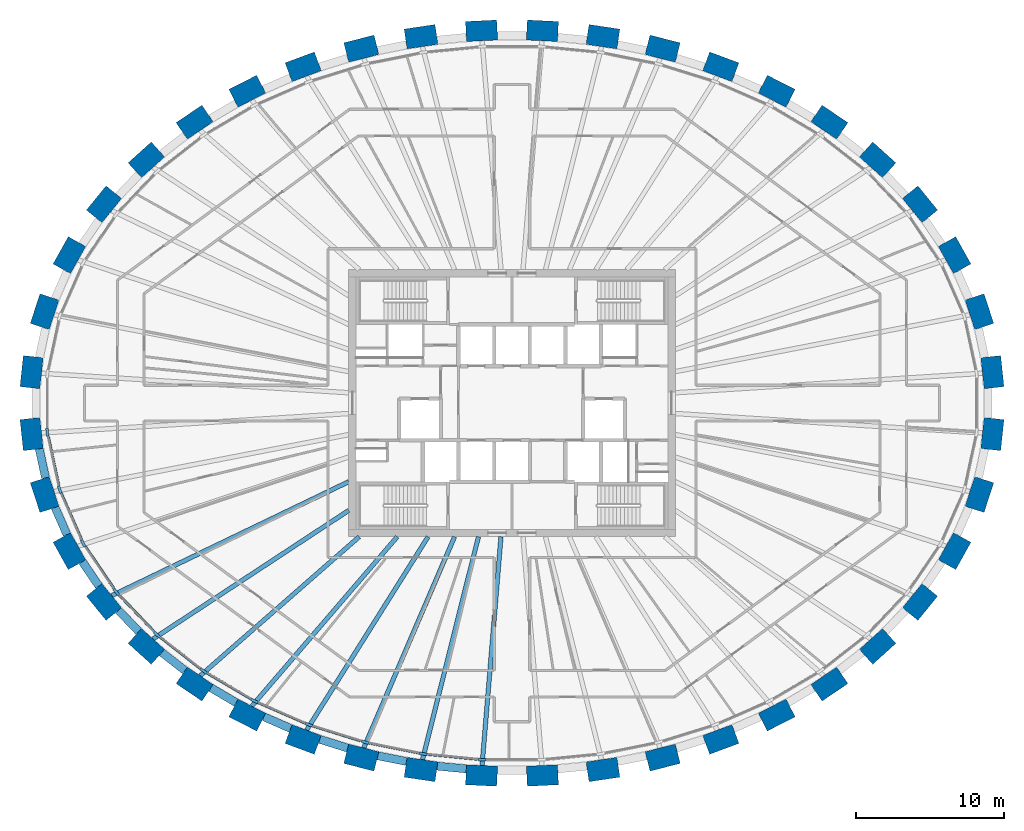
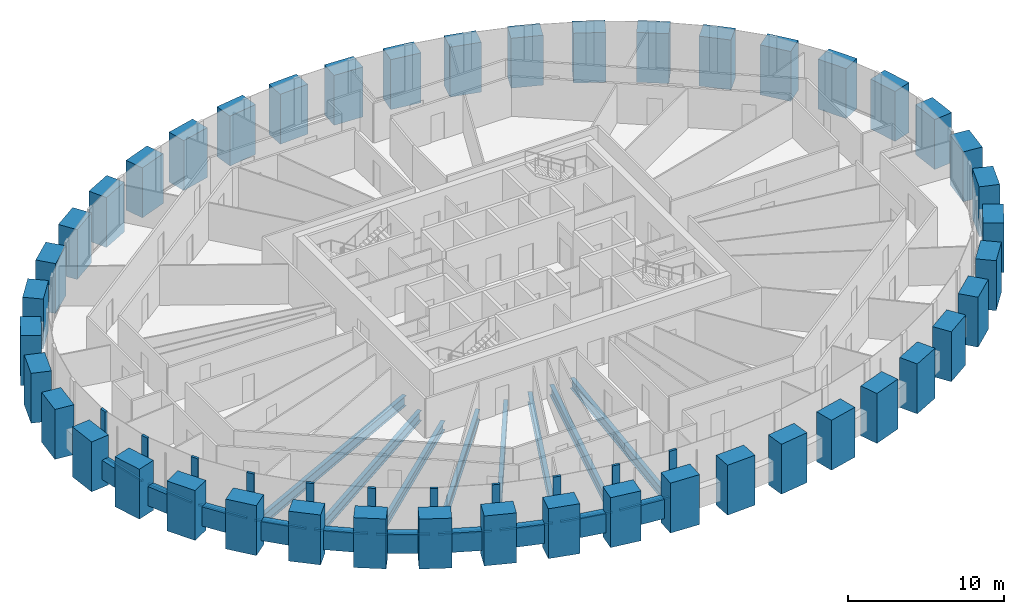
# One storey, part 1 of 12: 44 columns, 21 members, 18 beams, 1 element without a shape of its own.
"""IFC4 building model written with IfcOpenShell, lengths in metres."""

import ifcopenshell
import ifcopenshell.guid

model = None  # the IFC model being written
_history = None  # IfcOwnerHistory: only IFC2X3 demands one
_inside = {}  # id of a spatial element -> (the spatial element, [elements in it])
_under = {}  # id of a project, library or spatial element -> (it, [spatial elements below it])
_declared = {}  # id of a project -> (the project, [libraries it declares])
_typed = {}  # id of a type object -> (the type object, [elements of that type])
_made_of = {}  # id of a material, layer set ... -> (it, [elements and type objects made of it])


def new_model(schema):
    """Start an empty IFC model of exactly this schema.

    Asked for "IFC4X3", IfcOpenShell would pick the latest addendum, in which some entities
    have other attributes; the version numbers below select the first issue.
    IFC2X3 requires an IfcOwnerHistory on every rooted entity: one is made here for all.
    """
    global model, _history
    if schema == "IFC4X3":
        model = ifcopenshell.file(schema_version=(4, 3, 0, 0))
    else:
        model = ifcopenshell.file(schema=schema)
    _inside.clear()
    _under.clear()
    _declared.clear()
    _typed.clear()
    _made_of.clear()
    _history = None
    if model.schema == "IFC2X3":
        org = make("IfcOrganization", Name="unknown")
        user = make(
            "IfcPersonAndOrganization",
            ThePerson=make("IfcPerson", FamilyName="unknown"),
            TheOrganization=org,
        )
        app = make(
            "IfcApplication",
            ApplicationDeveloper=org,
            Version="unknown",
            ApplicationFullName="unknown",
            ApplicationIdentifier="unknown",
        )
        _history = make(
            "IfcOwnerHistory",
            OwningUser=user,
            OwningApplication=app,
            ChangeAction="ADDED",
            CreationDate=0,
        )
    return model


def make(cls, **values):
    """One entity of the class cls with the attributes given. An attribute that is None is left unset."""
    return model.create_entity(
        cls, **{name: value for name, value in values.items() if value is not None}
    )


def rooted(cls, **values):
    """An entity with a GlobalId (a new one), such as an element, a storey or a relation."""
    return make(cls, GlobalId=ifcopenshell.guid.new(), OwnerHistory=_history, **values)


def si_unit(unit_type, name, prefix=None):
    """IfcSIUnit, for example si_unit("LENGTHUNIT", "METRE", prefix="MILLI")."""
    return make("IfcSIUnit", UnitType=unit_type, Prefix=prefix, Name=name)


def assignment(units):
    """IfcUnitAssignment: the units of a project."""
    return None if units is None else make("IfcUnitAssignment", Units=units)


def point(xyz):
    """IfcCartesianPoint."""
    return None if xyz is None else make("IfcCartesianPoint", Coordinates=xyz)


def direction(xyz):
    """IfcDirection."""
    return None if xyz is None else make("IfcDirection", DirectionRatios=xyz)


def frame(location, z_axis=None, x_axis=None):
    """IfcAxis2Placement3D, a coordinate frame: its origin and axes. An axis left out is left unset."""
    return make(
        "IfcAxis2Placement3D",
        Location=point(location),
        Axis=direction(z_axis),
        RefDirection=direction(x_axis),
    )


def frame_2d(location, x_axis=None):
    """IfcAxis2Placement2D, a coordinate frame in the plane: its origin and x axis."""
    return make(
        "IfcAxis2Placement2D", Location=point(location), RefDirection=direction(x_axis)
    )


def origin():
    """The frame at (0, 0, 0) with its axes left unset."""
    return frame((0.0, 0.0, 0.0))


def origin_2d():
    """The frame at (0, 0) in the plane with its x axis left unset."""
    return frame_2d((0.0, 0.0))


def place(relative_to, where):
    """IfcLocalPlacement: puts the frame where relative to a parent placement (None: the world)."""
    return make(
        "IfcLocalPlacement", PlacementRelTo=relative_to, RelativePlacement=where
    )


def context(
    kind, dimensions, precision=None, world=None, true_north=None, identifier=None
):
    """IfcGeometricRepresentationContext, for example the 3D "Model" context."""
    return make(
        "IfcGeometricRepresentationContext",
        ContextIdentifier=identifier,
        ContextType=kind,
        CoordinateSpaceDimension=dimensions,
        Precision=precision,
        WorldCoordinateSystem=world,
        TrueNorth=true_north,
    )


def subcontext(parent, identifier, kind, view, scale=None):
    """IfcGeometricRepresentationSubContext, for example "Body" below "Model"."""
    return make(
        "IfcGeometricRepresentationSubContext",
        ContextIdentifier=identifier,
        ContextType=kind,
        ParentContext=parent,
        TargetScale=scale,
        TargetView=view,
    )


def project(units=None, contexts=None):
    """IfcProject with its units and contexts."""
    return rooted(
        "IfcProject",
        Name="project",
        RepresentationContexts=contexts,
        UnitsInContext=assignment(units),
    )


def spatial(cls, under=None, at=None, **own):
    """A site, building, storey or space (cls), placed at a placement, below another one or the project."""
    s = rooted(cls, ObjectPlacement=at, **own)
    if under is not None:
        _under.setdefault(under.id(), (under, []))[1].append(s)
    return s


def profile(cls, at=None, kind="AREA", **sizes):
    """A parametric profile (cls). Its sizes go by their IFC names, for example OverallWidth=200.0."""
    return make(cls, ProfileType=kind, Position=at, **sizes)


def rectangle(**sizes):
    """IfcRectangleProfileDef."""
    return profile("IfcRectangleProfileDef", **sizes)


def i_section(**sizes):
    """IfcIShapeProfileDef."""
    return profile("IfcIShapeProfileDef", **sizes)


def extrude(swept, where, along, depth):
    """IfcExtrudedAreaSolid: the profile swept, set in the frame where, extruded along a direction by depth."""
    return make(
        "IfcExtrudedAreaSolid",
        SweptArea=swept,
        Position=where,
        ExtrudedDirection=direction(along),
        Depth=depth,
    )


def shape(context_of_items, identifier, shape_type, items):
    """IfcShapeRepresentation: the items that make up one representation, for example the "Body"."""
    return make(
        "IfcShapeRepresentation",
        ContextOfItems=context_of_items,
        RepresentationIdentifier=identifier,
        RepresentationType=shape_type,
        Items=items,
    )


def source(mapping_origin, context_of_items, identifier, shape_type, items):
    """IfcRepresentationMap: a shape defined once, which mapped items show again and again."""
    return make(
        "IfcRepresentationMap",
        MappingOrigin=mapping_origin,
        MappedRepresentation=shape(context_of_items, identifier, shape_type, items),
    )


def transform(
    local_origin,
    x_axis=None,
    y_axis=None,
    z_axis=None,
    scale=None,
    scale2=None,
    scale3=None,
    uniform=True,
):
    """IfcCartesianTransformationOperator3D, or its non-uniform kind. x_axis, y_axis, z_axis: its Axis1, 2, 3."""
    if uniform:
        return make(
            "IfcCartesianTransformationOperator3D",
            Axis1=direction(x_axis),
            Axis2=direction(y_axis),
            LocalOrigin=point(local_origin),
            Scale=scale,
            Axis3=direction(z_axis),
        )
    return make(
        "IfcCartesianTransformationOperator3DnonUniform",
        Axis1=direction(x_axis),
        Axis2=direction(y_axis),
        LocalOrigin=point(local_origin),
        Scale=scale,
        Axis3=direction(z_axis),
        Scale2=scale2,
        Scale3=scale3,
    )


def mapped(mapping_source, mapping_target):
    """IfcMappedItem: shows the shape of a source again, moved by a transform."""
    return make(
        "IfcMappedItem", MappingSource=mapping_source, MappingTarget=mapping_target
    )


def material(Name=None, Category=None):
    """IfcMaterial."""
    return make("IfcMaterial", Name=Name, Category=Category)


def material_profile(
    of_material, cross_section, Name=None, Category=None, Priority=None
):
    """IfcMaterialProfile: a cross section and its material."""
    return make(
        "IfcMaterialProfile",
        Name=Name,
        Material=of_material,
        Profile=cross_section,
        Priority=Priority,
        Category=Category,
    )


def profile_set(profiles, Name=None, composite=None):
    """IfcMaterialProfileSet."""
    return make(
        "IfcMaterialProfileSet",
        Name=Name,
        MaterialProfiles=profiles,
        CompositeProfile=composite,
    )


def made_of(thing, what):
    """Note that an element or type object is made of a material, layer set ...; save() writes the relation."""
    if what is not None:
        _made_of.setdefault(what.id(), (what, []))[1].append(thing)
    return thing


def type_object(cls, material=None, **own):
    """A type object (cls), such as IfcWallType, which elements share."""
    return made_of(rooted(cls, **own), material)


def element(
    cls,
    number,
    at=None,
    inside=None,
    cuts=None,
    type_object=None,
    material=None,
    context=None,
    identifier="Body",
    shape_type=None,
    held_by="IfcProductDefinitionShape",
    body=None,
    shapes=None,
    **own,
):
    """One element of the class cls, such as IfcWall. Its Tag is "e" and its number.

    at: its placement. inside: the storey or other place that contains it. cuts: it is an
    opening in that element (IfcRelVoidsElement). A single representation is given by context,
    identifier, shape_type and body (its items); several are given by shapes. held_by: the class
    of the entity that holds the representations. save() writes the other relations.
    """
    e = rooted(cls, Tag="e%d" % number, ObjectPlacement=at, **own)
    if body is not None:
        shapes = [shape(context, identifier, shape_type, body)]
    if shapes is not None:
        e.Representation = make(held_by, Representations=shapes)
    if inside is not None:
        _inside.setdefault(inside.id(), (inside, []))[1].append(e)
    if cuts is not None:
        rooted(
            "IfcRelVoidsElement", RelatingBuildingElement=cuts, RelatedOpeningElement=e
        )
    if type_object is not None:
        _typed.setdefault(type_object.id(), (type_object, []))[1].append(e)
    return made_of(e, material)


def aggregate(whole, parts):
    """IfcRelAggregates: a whole, such as a stair, and the parts it consists of."""
    return rooted("IfcRelAggregates", RelatingObject=whole, RelatedObjects=parts)


def save(model, path):
    """Write the relations noted so far, then the file.

    IfcRelAggregates (storeys below a building ...), IfcRelContainedInSpatialStructure (elements
    in a storey), IfcRelDefinesByType, IfcRelAssociatesMaterial and IfcRelDeclares: one each for
    every whole, place, type object, material and project.
    """
    for whole, parts in _under.values():
        aggregate(whole, parts)
    for where, things in _inside.values():
        rooted(
            "IfcRelContainedInSpatialStructure",
            RelatedElements=things,
            RelatingStructure=where,
        )
    for kind, things in _typed.values():
        rooted("IfcRelDefinesByType", RelatedObjects=things, RelatingType=kind)
    for what, things in _made_of.values():
        rooted("IfcRelAssociatesMaterial", RelatedObjects=things, RelatingMaterial=what)
    for by, libraries in _declared.values():
        rooted("IfcRelDeclares", RelatingContext=by, RelatedDefinitions=libraries)
    model.write(path)


model = new_model("IFC4")

# Units and contexts
model_context = context("Model", 3, precision=1e-05, world=origin(), true_north=direction((0.0, 1.0)))
body_context = subcontext(model_context, "Body", "Model", "MODEL_VIEW")
ifc_project = project(units=[si_unit("LENGTHUNIT", "METRE"), si_unit("AREAUNIT", "SQUARE_METRE"), si_unit("VOLUMEUNIT", "CUBIC_METRE"), si_unit("PLANEANGLEUNIT", "RADIAN"), si_unit("MASSUNIT", "GRAM", prefix="KILO")], contexts=[model_context])

# Site, building, storey
site_placement = place(None, origin())
site = spatial("IfcSite", under=ifc_project, at=site_placement, CompositionType="ELEMENT")
building_placement = place(site_placement, origin())
building = spatial("IfcBuilding", under=site, at=building_placement, Name="Embergate Tower", CompositionType="ELEMENT")
storey_placement = place(building_placement, frame((0.0, 0.0, 273.39990234375)))
storey = spatial("IfcBuildingStorey", under=building, at=storey_placement, Name="L63", CompositionType="ELEMENT", Elevation=273.39990234375)

# Columns
ifc_material_1 = material(Name="Concrete C60", Category="concrete")
ifc_material_profile_1 = material_profile(ifc_material_1, rectangle(XDim=1.35009765625, YDim=2.10009765625, at=origin_2d()), Name="RC 1350x2100")
ifc_profile_set_1 = profile_set([ifc_material_profile_1], Name="Concrete C60")
column_type = type_object("IfcColumnType", Name="Ring column RC 1350x2100 C60", PredefinedType="COLUMN", material=ifc_profile_set_1)
shared_shape_1 = source(origin(), body_context, "Body", "SweptSolid", [
    extrude(rectangle(XDim=1.35009765625, YDim=2.10009765625, at=origin_2d()), origin(), (0.0, 0.0, 1.0), 3.89990234375),
])
for number, where, z_axis, x_axis, name in (
    (1, (32.360107421875, 2.0849609375, -1.39990234375), (0.0, 0.0, 1.0), (0.99428589498, 0.106749983816, 0.0), "COL-L63-00"),
    (2, (31.48388671875, 6.158935546875, -1.39990234375), (0.0, 0.0, 1.0), (0.950754033697, 0.309946394413, 0.0), "COL-L63-01"),
    (3, (29.81396484375, 9.966064453125, -1.39990234375), (0.0, 0.0, 1.0), (0.873491969053, 0.486838556403, 0.0), "COL-L63-02"),
    (4, (27.48291015625, 13.39501953125, -1.39990234375), (0.0, 0.0, 1.0), (0.775914301615, 0.630838328377, 0.0), "COL-L63-03"),
    (5, (24.6298828125, 16.386962890625, -1.39990234375), (0.0, 0.0, 1.0), (0.669208424634, 0.74307475021, 0.0), "COL-L63-04"),
    (6, (21.37890625, 18.924072265625, -1.39990234375), (0.0, 0.0, 1.0), (0.560393279442, 0.828226643109, 0.0), "COL-L63-05"),
    (7, (17.8310546875, 21.010009765625, -1.39990234375), (0.0, 0.0, 1.0), (0.452994952881, 0.891513080478, 0.0), "COL-L63-06"),
    (8, (14.06689453125, 22.656005859375, -1.39990234375), (0.0, 0.0, 1.0), (0.348343015724, 0.93736713373, 0.0), "COL-L63-07"),
    (9, (10.14892578125, 23.876953125, -1.39990234375), (0.0, 0.0, 1.0), (0.246491603437, 0.969144926951, 0.0), "COL-L63-08"),
    (10, (6.1279296875, 24.68310546875, -1.39990234375), (0.0, 0.0, 1.0), (0.146929011949, 0.989147039346, 0.0), "COL-L63-09"),
    (11, (2.049072265625, 25.083984375, -1.39990234375), (0.0, 0.0, 1.0), (0.048814904854, 0.998807841912, 0.0), "COL-L63-10"),
    (12, (-2.049072265625, 25.083984375, -1.39990234375), (0.0, 0.0, 1.0), (-0.048814904854, 0.998807841912, 0.0), "COL-L63-11"),
    (13, (-6.1279296875, 24.68310546875, -1.39990234375), (0.0, 0.0, 1.0), (-0.146929011949, 0.989147039346, 0.0), "COL-L63-12"),
    (14, (-10.14892578125, 23.876953125, -1.39990234375), (0.0, 0.0, 1.0), (-0.246491603437, 0.969144926951, 0.0), "COL-L63-13"),
    (15, (-14.06689453125, 22.656005859375, -1.39990234375), (0.0, 0.0, 1.0), (-0.348343015724, 0.93736713373, 0.0), "COL-L63-14"),
    (16, (-17.8310546875, 21.010009765625, -1.39990234375), (0.0, 0.0, 1.0), (-0.452994952881, 0.891513080478, 0.0), "COL-L63-15"),
    (17, (-21.37890625, 18.924072265625, -1.39990234375), (0.0, 0.0, 1.0), (-0.560393279442, 0.828226643109, 0.0), "COL-L63-16"),
    (18, (-24.6298828125, 16.386962890625, -1.39990234375), (0.0, 0.0, 1.0), (-0.669208424634, 0.74307475021, 0.0), "COL-L63-17"),
    (19, (-27.48291015625, 13.39501953125, -1.39990234375), (0.0, 0.0, 1.0), (-0.775914301615, 0.630838328377, 0.0), "COL-L63-18"),
    (20, (-29.81396484375, 9.966064453125, -1.39990234375), (0.0, 0.0, 1.0), (-0.873491969053, 0.486838556403, 0.0), "COL-L63-19"),
    (21, (-31.48388671875, 6.158935546875, -1.39990234375), (0.0, 0.0, 1.0), (-0.950754033697, 0.309946394413, 0.0), "COL-L63-20"),
    (22, (-32.360107421875, 2.0849609375, -1.39990234375), (0.0, 0.0, 1.0), (-0.99428589498, 0.106749983816, 0.0), "COL-L63-21"),
    (23, (-32.360107421875, -2.0849609375, -1.39990234375), (0.0, 0.0, 1.0), (-0.99428589498, -0.106749983816, 0.0), "COL-L63-22"),
    (24, (-31.48388671875, -6.158935546875, -1.39990234375), (0.0, 0.0, 1.0), (-0.950754033697, -0.309946394413, 0.0), "COL-L63-23"),
    (25, (-29.81396484375, -9.966064453125, -1.39990234375), (0.0, 0.0, 1.0), (-0.873491969053, -0.486838556403, 0.0), "COL-L63-24"),
    (26, (-27.48291015625, -13.39501953125, -1.39990234375), (0.0, 0.0, 1.0), (-0.775914301615, -0.630838328377, 0.0), "COL-L63-25"),
    (27, (-24.6298828125, -16.386962890625, -1.39990234375), (0.0, 0.0, 1.0), (-0.669208424634, -0.74307475021, 0.0), "COL-L63-26"),
    (28, (-21.37890625, -18.924072265625, -1.39990234375), (0.0, 0.0, 1.0), (-0.560393279442, -0.828226643109, 0.0), "COL-L63-27"),
    (29, (-17.8310546875, -21.010009765625, -1.39990234375), (0.0, 0.0, 1.0), (-0.452994952881, -0.891513080478, 0.0), "COL-L63-28"),
    (30, (-14.06689453125, -22.656005859375, -1.39990234375), (0.0, 0.0, 1.0), (-0.348343015724, -0.93736713373, 0.0), "COL-L63-29"),
    (31, (-10.14892578125, -23.876953125, -1.39990234375), (0.0, 0.0, 1.0), (-0.246491603437, -0.969144926951, 0.0), "COL-L63-30"),
    (32, (-6.1279296875, -24.68310546875, -1.39990234375), (0.0, 0.0, 1.0), (-0.146929011949, -0.989147039346, 0.0), "COL-L63-31"),
    (33, (-2.049072265625, -25.083984375, -1.39990234375), (0.0, 0.0, 1.0), (-0.048814904854, -0.998807841912, 0.0), "COL-L63-32"),
    (34, (2.049072265625, -25.083984375, -1.39990234375), (0.0, 0.0, 1.0), (0.048814904854, -0.998807841912, 0.0), "COL-L63-33"),
    (35, (6.1279296875, -24.68310546875, -1.39990234375), (0.0, 0.0, 1.0), (0.146929011949, -0.989147039346, 0.0), "COL-L63-34"),
    (36, (10.14892578125, -23.876953125, -1.39990234375), (0.0, 0.0, 1.0), (0.246491603437, -0.969144926951, 0.0), "COL-L63-35"),
    (37, (14.06689453125, -22.656005859375, -1.39990234375), (0.0, 0.0, 1.0), (0.348343015724, -0.93736713373, 0.0), "COL-L63-36"),
    (38, (17.8310546875, -21.010009765625, -1.39990234375), (0.0, 0.0, 1.0), (0.452994952881, -0.891513080478, 0.0), "COL-L63-37"),
    (39, (21.37890625, -18.924072265625, -1.39990234375), (0.0, 0.0, 1.0), (0.560393279442, -0.828226643109, 0.0), "COL-L63-38"),
    (40, (24.6298828125, -16.386962890625, -1.39990234375), (0.0, 0.0, 1.0), (0.669208424634, -0.74307475021, 0.0), "COL-L63-39"),
    (41, (27.48291015625, -13.39501953125, -1.39990234375), (0.0, 0.0, 1.0), (0.775914301615, -0.630838328377, 0.0), "COL-L63-40"),
    (42, (29.81396484375, -9.966064453125, -1.39990234375), (0.0, 0.0, 1.0), (0.873491969053, -0.486838556403, 0.0), "COL-L63-41"),
    (43, (31.48388671875, -6.158935546875, -1.39990234375), (0.0, 0.0, 1.0), (0.950754033697, -0.309946394413, 0.0), "COL-L63-42"),
    (44, (32.360107421875, -2.0849609375, -1.39990234375), (0.0, 0.0, 1.0), (0.99428589498, -0.106749983816, 0.0), "COL-L63-43"),
):
    element("IfcColumn", number, at=place(storey_placement, frame(where, z_axis=z_axis, x_axis=x_axis)), inside=storey, type_object=column_type, Name=name, PredefinedType="COLUMN", context=body_context, shape_type="MappedRepresentation", body=[
        mapped(shared_shape_1, transform((0.0, 0.0, 0.0))),
    ])

# Beams
ifc_material_profile_2 = material_profile(ifc_material_1, rectangle(XDim=0.550048828125, YDim=1.5, at=origin_2d()), Name="RC 550x1500")
ifc_profile_set_2 = profile_set([ifc_material_profile_2], Name="Concrete C60")
beam_type_1 = type_object("IfcBeamType", Name="Spandrel beam RC 550x1500 C60", PredefinedType="BEAM", material=ifc_profile_set_2)
shared_shape_2 = source(origin(), body_context, "Body", "SweptSolid", [
    extrude(rectangle(XDim=0.550048828125, YDim=1.5, at=origin_2d()), origin(), (0.0, 0.0, 1.0), 1.994384765625),
])
beam_1_placement = place(storey_placement, frame((-31.842041015625, -3.0849609375, 0.0), z_axis=(0.210055720301, -0.977689416108, 0.0), x_axis=(0.977689416108, 0.210055720301, 0.0)))
element("IfcBeam", 45, at=beam_1_placement, inside=storey, type_object=beam_type_1, Name="SPN-L63-22", PredefinedType="BEAM", context=body_context, shape_type="MappedRepresentation", body=[
    mapped(shared_shape_2, transform((0.0, 0.0, 0.0))),
])
shared_shape_3 = source(origin(), body_context, "Body", "SweptSolid", [
    extrude(rectangle(XDim=0.550048828125, YDim=1.5, at=origin_2d()), origin(), (0.0, 0.0, 1.0), 1.989990234375),
])
beam_2_placement = place(storey_placement, frame((-30.777099609375, -7.032958984375, 0.0), z_axis=(0.402047764255, -0.915618695341, 0.0), x_axis=(0.915618695341, 0.402047764255, 0.0)))
element("IfcBeam", 46, at=beam_2_placement, inside=storey, type_object=beam_type_1, Name="SPN-L63-23", PredefinedType="BEAM", context=body_context, shape_type="MappedRepresentation", body=[
    mapped(shared_shape_3, transform((0.0, 0.0, 0.0))),
])
shared_shape_4 = source(origin(), body_context, "Body", "SweptSolid", [
    extrude(rectangle(XDim=0.550048828125, YDim=1.5, at=origin_2d()), origin(), (0.0, 0.0, 1.0), 1.982421875),
])
beam_3_placement = place(storey_placement, frame((-28.943115234375, -10.68310546875, 0.0), z_axis=(0.56257611142, -0.82674549824, 0.0), x_axis=(0.82674549824, 0.56257611142, 0.0)))
element("IfcBeam", 47, at=beam_3_placement, inside=storey, type_object=beam_type_1, Name="SPN-L63-24", PredefinedType="BEAM", context=body_context, shape_type="MappedRepresentation", body=[
    mapped(shared_shape_4, transform((0.0, 0.0, 0.0))),
])
shared_shape_5 = source(origin(), body_context, "Body", "SweptSolid", [
    extrude(rectangle(XDim=0.550048828125, YDim=1.5, at=origin_2d()), origin(), (0.0, 0.0, 1.0), 1.97900390625),
])
beam_4_placement = place(storey_placement, frame((-26.509033203125, -13.9560546875, 0.0), z_axis=(0.690255649164, -0.723565573253, 0.0), x_axis=(0.723565573253, 0.690255649164, 0.0)))
element("IfcBeam", 48, at=beam_4_placement, inside=storey, type_object=beam_type_1, Name="SPN-L63-25", PredefinedType="BEAM", context=body_context, shape_type="MappedRepresentation", body=[
    mapped(shared_shape_5, transform((0.0, 0.0, 0.0))),
])
shared_shape_6 = source(origin(), body_context, "Body", "SweptSolid", [
    extrude(rectangle(XDim=0.550048828125, YDim=1.5, at=origin_2d()), origin(), (0.0, 0.0, 1.0), 1.974853515625),
])
beam_5_placement = place(storey_placement, frame((-23.5869140625, -16.797119140625, 0.0), z_axis=(0.788385979859, -0.61518090572, 0.0), x_axis=(0.61518090572, 0.788385979859, 0.0)))
element("IfcBeam", 49, at=beam_5_placement, inside=storey, type_object=beam_type_1, Name="SPN-L63-26", PredefinedType="BEAM", context=body_context, shape_type="MappedRepresentation", body=[
    mapped(shared_shape_6, transform((0.0, 0.0, 0.0))),
])
shared_shape_7 = source(origin(), body_context, "Body", "SweptSolid", [
    extrude(rectangle(XDim=0.550048828125, YDim=1.5, at=origin_2d()), origin(), (0.0, 0.0, 1.0), 1.969482421875),
])
beam_6_placement = place(storey_placement, frame((-20.281982421875, -19.176025390625, 0.0), z_axis=(0.862106236571, -0.506727576578, 0.0), x_axis=(0.506727576578, 0.862106236571, 0.0)))
element("IfcBeam", 50, at=beam_6_placement, inside=storey, type_object=beam_type_1, Name="SPN-L63-27", PredefinedType="BEAM", context=body_context, shape_type="MappedRepresentation", body=[
    mapped(shared_shape_7, transform((0.0, 0.0, 0.0))),
])
shared_shape_8 = source(origin(), body_context, "Body", "SweptSolid", [
    extrude(rectangle(XDim=0.550048828125, YDim=1.5, at=origin_2d()), origin(), (0.0, 0.0, 1.0), 1.96630859375),
])
beam_7_placement = place(storey_placement, frame((-16.714111328125, -21.12890625, 0.0), z_axis=(0.916393681964, -0.400278177842, 0.0), x_axis=(0.400278177842, 0.916393681964, 0.0)))
element("IfcBeam", 51, at=beam_7_placement, inside=storey, type_object=beam_type_1, Name="SPN-L63-28", PredefinedType="BEAM", context=body_context, shape_type="MappedRepresentation", body=[
    mapped(shared_shape_8, transform((0.0, 0.0, 0.0))),
])
shared_shape_9 = source(origin(), body_context, "Body", "SweptSolid", [
    extrude(rectangle(XDim=0.550048828125, YDim=1.5, at=origin_2d()), origin(), (0.0, 0.0, 1.0), 1.96484375),
])
beam_8_placement = place(storey_placement, frame((-12.945068359375, -22.65087890625, 0.0), z_axis=(0.954771364399, -0.297340951979, 0.0), x_axis=(0.297340951979, 0.954771364399, 0.0)))
element("IfcBeam", 52, at=beam_8_placement, inside=storey, type_object=beam_type_1, Name="SPN-L63-29", PredefinedType="BEAM", context=body_context, shape_type="MappedRepresentation", body=[
    mapped(shared_shape_9, transform((0.0, 0.0, 0.0))),
])
shared_shape_10 = source(origin(), body_context, "Body", "SweptSolid", [
    extrude(rectangle(XDim=0.550048828125, YDim=1.5, at=origin_2d()), origin(), (0.0, 0.0, 1.0), 1.963134765625),
])
beam_9_placement = place(storey_placement, frame((-9.033935546875, -23.7548828125, 0.0), z_axis=(0.980580675691, -0.196116135138, 0.0), x_axis=(0.196116135138, 0.980580675691, 0.0)))
element("IfcBeam", 53, at=beam_9_placement, inside=storey, type_object=beam_type_1, Name="SPN-L63-30", PredefinedType="BEAM", context=body_context, shape_type="MappedRepresentation", body=[
    mapped(shared_shape_10, transform((0.0, 0.0, 0.0))),
])
shared_shape_11 = source(origin(), body_context, "Body", "SweptSolid", [
    extrude(rectangle(XDim=0.550048828125, YDim=1.5, at=origin_2d()), origin(), (0.0, 0.0, 1.0), 1.96240234375),
])
beam_10_placement = place(storey_placement, frame((-5.031982421875, -24.449951171875, 0.0), z_axis=(0.99519482752, -0.097914530474, 0.0), x_axis=(0.097914530474, 0.99519482752, 0.0)))
element("IfcBeam", 54, at=beam_10_placement, inside=storey, type_object=beam_type_1, Name="SPN-L63-31", PredefinedType="BEAM", context=body_context, shape_type="MappedRepresentation", body=[
    mapped(shared_shape_11, transform((0.0, 0.0, 0.0))),
])
ifc_material_2 = material(Name="Steel Q355B", Category="steel")
ifc_material_profile_3 = material_profile(ifc_material_2, i_section(OverallWidth=0.300048828125, OverallDepth=0.800048828125, WebThickness=0.013916015625, FlangeThickness=0.02587890625, FilletRadius=0.028076171875, at=origin_2d()), Name="HN 800x300x14x26")
ifc_profile_set_3 = profile_set([ifc_material_profile_3], Name="Steel Q355 grade B")
beam_type_2 = type_object("IfcBeamType", Name="Radial girder HN 800x300x14x26", PredefinedType="BEAM", material=ifc_profile_set_3)
shared_shape_12 = source(origin(), body_context, "Body", "SweptSolid", [
    extrude(i_section(OverallWidth=0.300048828125, OverallDepth=0.800048828125, WebThickness=0.013916015625, FlangeThickness=0.02587890625, FilletRadius=0.028076171875, at=origin_2d()), origin(), (0.0, 0.0, 1.0), 17.70947265625),
])
beam_11_placement = place(storey_placement, frame((-26.958984375, -12.968994140625, -0.599853515625), z_axis=(0.901155084862, 0.433496843157, 0.0), x_axis=(-0.433496843157, 0.901155084862, 0.0)))
element("IfcBeam", 55, at=beam_11_placement, inside=storey, type_object=beam_type_2, Name="GIR-L63-25", PredefinedType="BEAM", context=body_context, shape_type="MappedRepresentation", body=[
    mapped(shared_shape_12, transform((0.0, 0.0, 0.0))),
])
shared_shape_13 = source(origin(), body_context, "Body", "SweptSolid", [
    extrude(i_section(OverallWidth=0.300048828125, OverallDepth=0.800048828125, WebThickness=0.013916015625, FlangeThickness=0.02587890625, FilletRadius=0.028076171875, at=origin_2d()), origin(), (0.0, 0.0, 1.0), 15.767578125),
])
beam_12_placement = place(storey_placement, frame((-24.177978515625, -15.885009765625, -0.599853515625), z_axis=(0.835759482959, 0.549095698986, 0.0), x_axis=(-0.549095698986, 0.835759482959, 0.0)))
element("IfcBeam", 56, at=beam_12_placement, inside=storey, type_object=beam_type_2, Name="GIR-L63-26", PredefinedType="BEAM", context=body_context, shape_type="MappedRepresentation", body=[
    mapped(shared_shape_13, transform((0.0, 0.0, 0.0))),
])
ifc_material_profile_4 = material_profile(ifc_material_2, i_section(OverallWidth=0.300048828125, OverallDepth=0.699951171875, WebThickness=0.012939453125, FlangeThickness=0.02392578125, FilletRadius=0.01806640625, at=origin_2d()), Name="HN 700x300x13x24")
ifc_profile_set_4 = profile_set([ifc_material_profile_4], Name="Steel Q355 grade B")
beam_type_3 = type_object("IfcBeamType", Name="Radial girder HN 700x300x13x24", PredefinedType="BEAM", material=ifc_profile_set_4)
shared_shape_14 = source(origin(), body_context, "Body", "SweptSolid", [
    extrude(i_section(OverallWidth=0.300048828125, OverallDepth=0.699951171875, WebThickness=0.012939453125, FlangeThickness=0.02392578125, FilletRadius=0.01806640625, at=origin_2d()), origin(), (0.0, 0.0, 1.0), 14.226318359375),
])
beam_13_placement = place(storey_placement, frame((-21.0009765625, -18.364990234375, -0.5498046875), z_axis=(0.752763768185, 0.658290748308, 0.0), x_axis=(-0.658290748308, 0.752763768185, 0.0)))
element("IfcBeam", 57, at=beam_13_placement, inside=storey, type_object=beam_type_3, Name="GIR-L63-27", PredefinedType="BEAM", context=body_context, shape_type="MappedRepresentation", body=[
    mapped(shared_shape_14, transform((0.0, 0.0, 0.0))),
])
shared_shape_15 = source(origin(), body_context, "Body", "SweptSolid", [
    extrude(i_section(OverallWidth=0.300048828125, OverallDepth=0.800048828125, WebThickness=0.013916015625, FlangeThickness=0.02587890625, FilletRadius=0.028076171875, at=origin_2d()), origin(), (0.0, 0.0, 1.0), 15.03662109375),
])
beam_14_placement = place(storey_placement, frame((-17.52490234375, -20.407958984375, -0.599853515625), z_axis=(0.651467693725, 0.758676376351, 0.0), x_axis=(-0.758676376351, 0.651467693725, 0.0)))
element("IfcBeam", 58, at=beam_14_placement, inside=storey, type_object=beam_type_2, Name="GIR-L63-28", PredefinedType="BEAM", context=body_context, shape_type="MappedRepresentation", body=[
    mapped(shared_shape_15, transform((0.0, 0.0, 0.0))),
])
shared_shape_16 = source(origin(), body_context, "Body", "SweptSolid", [
    extrude(i_section(OverallWidth=0.300048828125, OverallDepth=0.800048828125, WebThickness=0.013916015625, FlangeThickness=0.02587890625, FilletRadius=0.028076171875, at=origin_2d()), origin(), (0.0, 0.0, 1.0), 15.37841796875),
])
beam_15_placement = place(storey_placement, frame((-13.83203125, -22.02294921875, -0.599853515625), z_axis=(0.53184995305, 0.84683860767, 0.0), x_axis=(-0.84683860767, 0.53184995305, 0.0)))
element("IfcBeam", 59, at=beam_15_placement, inside=storey, type_object=beam_type_2, Name="GIR-L63-29", PredefinedType="BEAM", context=body_context, shape_type="MappedRepresentation", body=[
    mapped(shared_shape_16, transform((0.0, 0.0, 0.0))),
])
shared_shape_17 = source(origin(), body_context, "Body", "SweptSolid", [
    extrude(i_section(OverallWidth=0.300048828125, OverallDepth=0.800048828125, WebThickness=0.013916015625, FlangeThickness=0.02587890625, FilletRadius=0.028076171875, at=origin_2d()), origin(), (0.0, 0.0, 1.0), 15.4814453125),
])
beam_16_placement = place(storey_placement, frame((-9.98291015625, -23.222900390625, -0.599853515625), z_axis=(0.394927796759, 0.918712161314, 0.0), x_axis=(-0.918712161314, 0.394927796759, 0.0)))
element("IfcBeam", 60, at=beam_16_placement, inside=storey, type_object=beam_type_2, Name="GIR-L63-30", PredefinedType="BEAM", context=body_context, shape_type="MappedRepresentation", body=[
    mapped(shared_shape_17, transform((0.0, 0.0, 0.0))),
])
shared_shape_18 = source(origin(), body_context, "Body", "SweptSolid", [
    extrude(i_section(OverallWidth=0.300048828125, OverallDepth=0.800048828125, WebThickness=0.013916015625, FlangeThickness=0.02587890625, FilletRadius=0.028076171875, at=origin_2d()), origin(), (0.0, 0.0, 1.0), 15.48095703125),
])
beam_17_placement = place(storey_placement, frame((-6.029052734375, -24.014892578125, -0.599853515625), z_axis=(0.243526249663, 0.969894306471, 0.0), x_axis=(-0.969894306471, 0.243526249663, 0.0)))
element("IfcBeam", 61, at=beam_17_placement, inside=storey, type_object=beam_type_2, Name="GIR-L63-31", PredefinedType="BEAM", context=body_context, shape_type="MappedRepresentation", body=[
    mapped(shared_shape_18, transform((0.0, 0.0, 0.0))),
])
shared_shape_19 = source(origin(), body_context, "Body", "SweptSolid", [
    extrude(i_section(OverallWidth=0.300048828125, OverallDepth=0.800048828125, WebThickness=0.013916015625, FlangeThickness=0.02587890625, FilletRadius=0.028076171875, at=origin_2d()), origin(), (0.0, 0.0, 1.0), 15.46240234375),
])
beam_18_placement = place(storey_placement, frame((-2.01611328125, -24.409912109375, -0.599853515625), z_axis=(0.082341147883, 0.99660420196, 0.0), x_axis=(-0.99660420196, 0.082341147883, 0.0)))
element("IfcBeam", 62, at=beam_18_placement, inside=storey, type_object=beam_type_2, Name="GIR-L63-32", PredefinedType="BEAM", context=body_context, shape_type="MappedRepresentation", body=[
    mapped(shared_shape_19, transform((0.0, 0.0, 0.0))),
])

# Curtain wall, members
ifc_material_3 = material(Name="Aluminium and glass", Category="aluminium")
curtain_wall_type = type_object("IfcCurtainWallType", Name="Recessed office glazing", PredefinedType="NOTDEFINED", material=ifc_material_3)
curtain_wall_placement = place(storey_placement, origin())
curtain_wall = element("IfcCurtainWall", 63, at=curtain_wall_placement, inside=storey, type_object=curtain_wall_type, Name="Recessed office glazing ring", ObjectType="RECESSED OFFICE GLAZING", PredefinedType="USERDEFINED")
ifc_material_4 = material(Name="Aluminium, thermally broken", Category="aluminium")
ifc_material_profile_5 = material_profile(ifc_material_4, rectangle(XDim=0.179931640625, YDim=0.52001953125, at=origin_2d()), Name="AL 520x180")
ifc_profile_set_5 = profile_set([ifc_material_profile_5], Name="Aluminium, thermally broken")
member_type_1 = type_object("IfcMemberType", Name="Office mullion", PredefinedType="MULLION", material=ifc_profile_set_5)
shared_shape_20 = source(origin(), body_context, "Body", "SweptSolid", [
    extrude(rectangle(XDim=0.179931640625, YDim=0.52001953125, at=origin_2d()), origin(), (0.0, 0.0, 1.0), 3.7001953125),
])
member_1_placement = place(storey_placement, frame((-31.301513671875, -1.971435546875, 0.0), z_axis=(0.0, 0.0, 1.0), x_axis=(0.994384215926, 0.105830199459, 0.0)))
member_1 = element("IfcMember", 64, at=member_1_placement, type_object=member_type_1, Name="CW mullion 23", PredefinedType="MULLION", context=body_context, shape_type="MappedRepresentation", body=[
    mapped(shared_shape_20, transform((0.0, 0.0, 0.0))),
])
member_2_placement = place(storey_placement, frame((-30.47119140625, -5.82861328125, 0.0), z_axis=(0.0, 0.0, 1.0), x_axis=(0.951492965233, 0.307670500881, 0.0)))
member_2 = element("IfcMember", 65, at=member_2_placement, type_object=member_type_1, Name="CW mullion 24", PredefinedType="MULLION", context=body_context, shape_type="MappedRepresentation", body=[
    mapped(shared_shape_20, transform((0.0, 0.0, 0.0))),
])
member_3_placement = place(storey_placement, frame((-28.8837890625, -9.447998046875, 0.0), z_axis=(0.0, 0.0, 1.0), x_axis=(0.874992601244, 0.484136290489, 0.0)))
member_3 = element("IfcMember", 66, at=member_3_placement, type_object=member_type_1, Name="CW mullion 25", PredefinedType="MULLION", context=body_context, shape_type="MappedRepresentation", body=[
    mapped(shared_shape_20, transform((0.0, 0.0, 0.0))),
])
member_4_placement = place(storey_placement, frame((-26.656494140625, -12.72314453125, 0.0), z_axis=(0.0, 0.0, 1.0), x_axis=(0.777861596203, 0.628435626897, 0.0)))
member_4 = element("IfcMember", 67, at=member_4_placement, type_object=member_type_1, Name="CW mullion 26", PredefinedType="MULLION", context=body_context, shape_type="MappedRepresentation", body=[
    mapped(shared_shape_20, transform((0.0, 0.0, 0.0))),
])
member_5_placement = place(storey_placement, frame((-23.9169921875, -15.595703125, 0.0), z_axis=(0.0, 0.0, 1.0), x_axis=(0.671216184057, 0.741261650337, 0.0)))
member_5 = element("IfcMember", 68, at=member_5_placement, type_object=member_type_1, Name="CW mullion 27", PredefinedType="MULLION", context=body_context, shape_type="MappedRepresentation", body=[
    mapped(shared_shape_20, transform((0.0, 0.0, 0.0))),
])
member_6_placement = place(storey_placement, frame((-20.781982421875, -18.042236328125, 0.0), z_axis=(0.0, 0.0, 1.0), x_axis=(0.562207514921, 0.82699619719, 0.0)))
member_6 = element("IfcMember", 69, at=member_6_placement, type_object=member_type_1, Name="CW mullion 28", PredefinedType="MULLION", context=body_context, shape_type="MappedRepresentation", body=[
    mapped(shared_shape_20, transform((0.0, 0.0, 0.0))),
])
member_7_placement = place(storey_placement, frame((-17.34912109375, -20.060791015625, 0.0), z_axis=(0.0, 0.0, 1.0), x_axis=(0.454503607328, 0.89074489666, 0.0)))
member_7 = element("IfcMember", 70, at=member_7_placement, type_object=member_type_1, Name="CW mullion 29", PredefinedType="MULLION", context=body_context, shape_type="MappedRepresentation", body=[
    mapped(shared_shape_20, transform((0.0, 0.0, 0.0))),
])
member_8_placement = place(storey_placement, frame((-13.69580078125, -21.657958984375, 0.0), z_axis=(0.0, 0.0, 1.0), x_axis=(0.349496141799, 0.936937803094, 0.0)))
member_8 = element("IfcMember", 71, at=member_8_placement, type_object=member_type_1, Name="CW mullion 30", PredefinedType="MULLION", context=body_context, shape_type="MappedRepresentation", body=[
    mapped(shared_shape_20, transform((0.0, 0.0, 0.0))),
])
member_9_placement = place(storey_placement, frame((-9.885986328125, -22.844482421875, 0.0), z_axis=(0.0, 0.0, 1.0), x_axis=(0.24730680803, 0.968937223303, 0.0)))
member_9 = element("IfcMember", 72, at=member_9_placement, type_object=member_type_1, Name="CW mullion 31", PredefinedType="MULLION", context=body_context, shape_type="MappedRepresentation", body=[
    mapped(shared_shape_20, transform((0.0, 0.0, 0.0))),
])
member_10_placement = place(storey_placement, frame((-5.9716796875, -23.629638671875, 0.0), z_axis=(0.0, 0.0, 1.0), x_axis=(0.147408930294, 0.989075632735, 0.0)))
member_10 = element("IfcMember", 73, at=member_10_placement, type_object=member_type_1, Name="CW mullion 32", PredefinedType="MULLION", context=body_context, shape_type="MappedRepresentation", body=[
    mapped(shared_shape_20, transform((0.0, 0.0, 0.0))),
])
member_11_placement = place(storey_placement, frame((-1.9970703125, -24.020263671875, 0.0), z_axis=(0.0, 0.0, 1.0), x_axis=(0.048970053385, 0.998800247232, 0.0)))
member_11 = element("IfcMember", 74, at=member_11_placement, type_object=member_type_1, Name="CW mullion 33", PredefinedType="MULLION", context=body_context, shape_type="MappedRepresentation", body=[
    mapped(shared_shape_20, transform((0.0, 0.0, 0.0))),
])
ifc_material_profile_6 = material_profile(ifc_material_4, rectangle(XDim=0.179931640625, YDim=0.14990234375, at=origin_2d()), Name="AL 150x180")
ifc_profile_set_6 = profile_set([ifc_material_profile_6], Name="Aluminium, thermally broken")
member_type_2 = type_object("IfcMemberType", Name="Office sill transom", PredefinedType="USERDEFINED", material=ifc_profile_set_6)
shared_shape_21 = source(origin(), body_context, "Body", "SweptSolid", [
    extrude(rectangle(XDim=0.179931640625, YDim=0.14990234375, at=origin_2d()), origin(), (0.0, 0.0, 1.0), 3.42529296875),
])
member_12_placement = place(storey_placement, frame((-31.24658203125, -2.2255859375, 0.0751953125), z_axis=(0.210405171299, -0.977614271526, 0.0), x_axis=(0.977614271526, 0.210405171299, 0.0)))
member_12 = element("IfcMember", 75, at=member_12_placement, type_object=member_type_2, Name="CW transom 23.1", ObjectType="TRANSOM", PredefinedType="USERDEFINED", context=body_context, shape_type="MappedRepresentation", body=[
    mapped(shared_shape_21, transform((0.0, 0.0, 0.0))),
])
shared_shape_22 = source(origin(), body_context, "Body", "SweptSolid", [
    extrude(rectangle(XDim=0.179931640625, YDim=0.14990234375, at=origin_2d()), origin(), (0.0, 0.0, 1.0), 3.43212890625),
])
member_13_placement = place(storey_placement, frame((-30.36669921875, -6.066650390625, 0.0751953125), z_axis=(0.401632188585, -0.915801061963, 0.0), x_axis=(0.915801061963, 0.401632188585, 0.0)))
member_13 = element("IfcMember", 76, at=member_13_placement, type_object=member_type_2, Name="CW transom 24.1", ObjectType="TRANSOM", PredefinedType="USERDEFINED", context=body_context, shape_type="MappedRepresentation", body=[
    mapped(shared_shape_22, transform((0.0, 0.0, 0.0))),
])
shared_shape_23 = source(origin(), body_context, "Body", "SweptSolid", [
    extrude(rectangle(XDim=0.179931640625, YDim=0.14990234375, at=origin_2d()), origin(), (0.0, 0.0, 1.0), 3.44091796875),
])
member_14_placement = place(storey_placement, frame((-28.737548828125, -9.662841796875, 0.0751953125), z_axis=(0.562372122954, -0.826884269607, 0.0), x_axis=(0.826884269607, 0.562372122954, 0.0)))
member_14 = element("IfcMember", 77, at=member_14_placement, type_object=member_type_2, Name="CW transom 25.1", ObjectType="TRANSOM", PredefinedType="USERDEFINED", context=body_context, shape_type="MappedRepresentation", body=[
    mapped(shared_shape_23, transform((0.0, 0.0, 0.0))),
])
shared_shape_24 = source(origin(), body_context, "Body", "SweptSolid", [
    extrude(rectangle(XDim=0.179931640625, YDim=0.14990234375, at=origin_2d()), origin(), (0.0, 0.0, 1.0), 3.449462890625),
])
member_15_placement = place(storey_placement, frame((-26.47705078125, -12.9111328125, 0.0751953125), z_axis=(0.690133956855, -0.723681643815, 0.0), x_axis=(0.723681643815, 0.690133956855, 0.0)))
member_15 = element("IfcMember", 78, at=member_15_placement, type_object=member_type_2, Name="CW transom 26.1", ObjectType="TRANSOM", PredefinedType="USERDEFINED", context=body_context, shape_type="MappedRepresentation", body=[
    mapped(shared_shape_24, transform((0.0, 0.0, 0.0))),
])
shared_shape_25 = source(origin(), body_context, "Body", "SweptSolid", [
    extrude(rectangle(XDim=0.179931640625, YDim=0.14990234375, at=origin_2d()), origin(), (0.0, 0.0, 1.0), 3.456787109375),
])
member_16_placement = place(storey_placement, frame((-23.712158203125, -15.755615234375, 0.0751953125), z_axis=(0.788343354806, -0.615235528016, 0.0), x_axis=(0.615235528016, 0.788343354806, 0.0)))
member_16 = element("IfcMember", 79, at=member_16_placement, type_object=member_type_2, Name="CW transom 27.1", ObjectType="TRANSOM", PredefinedType="USERDEFINED", context=body_context, shape_type="MappedRepresentation", body=[
    mapped(shared_shape_25, transform((0.0, 0.0, 0.0))),
])
shared_shape_26 = source(origin(), body_context, "Body", "SweptSolid", [
    extrude(rectangle(XDim=0.179931640625, YDim=0.14990234375, at=origin_2d()), origin(), (0.0, 0.0, 1.0), 3.462646484375),
])
member_17_placement = place(storey_placement, frame((-20.55810546875, -18.174072265625, 0.0751953125), z_axis=(0.862068308193, -0.506792099394, 0.0), x_axis=(0.506792099394, 0.862068308193, 0.0)))
member_17 = element("IfcMember", 80, at=member_17_placement, type_object=member_type_2, Name="CW transom 28.1", ObjectType="TRANSOM", PredefinedType="USERDEFINED", context=body_context, shape_type="MappedRepresentation", body=[
    mapped(shared_shape_26, transform((0.0, 0.0, 0.0))),
])
shared_shape_27 = source(origin(), body_context, "Body", "SweptSolid", [
    extrude(rectangle(XDim=0.179931640625, YDim=0.14990234375, at=origin_2d()), origin(), (0.0, 0.0, 1.0), 3.467041015625),
])
member_18_placement = place(storey_placement, frame((-17.110595703125, -20.164794921875, 0.0751953125), z_axis=(0.916217122843, -0.400682148104, 0.0), x_axis=(0.400682148104, 0.916217122843, 0.0)))
member_18 = element("IfcMember", 81, at=member_18_placement, type_object=member_type_2, Name="CW transom 29.1", ObjectType="TRANSOM", PredefinedType="USERDEFINED", context=body_context, shape_type="MappedRepresentation", body=[
    mapped(shared_shape_27, transform((0.0, 0.0, 0.0))),
])
shared_shape_28 = source(origin(), body_context, "Body", "SweptSolid", [
    extrude(rectangle(XDim=0.179931640625, YDim=0.14990234375, at=origin_2d()), origin(), (0.0, 0.0, 1.0), 3.470458984375),
])
member_19_placement = place(storey_placement, frame((-13.44775390625, -21.7353515625, 0.0751953125), z_axis=(0.954784910088, -0.297297452846, 0.0), x_axis=(0.297297452846, 0.954784910088, 0.0)))
member_19 = element("IfcMember", 82, at=member_19_placement, type_object=member_type_2, Name="CW transom 30.1", ObjectType="TRANSOM", PredefinedType="USERDEFINED", context=body_context, shape_type="MappedRepresentation", body=[
    mapped(shared_shape_28, transform((0.0, 0.0, 0.0))),
])
shared_shape_29 = source(origin(), body_context, "Body", "SweptSolid", [
    extrude(rectangle(XDim=0.179931640625, YDim=0.14990234375, at=origin_2d()), origin(), (0.0, 0.0, 1.0), 3.472412109375),
])
member_20_placement = place(storey_placement, frame((-9.631103515625, -22.8955078125, 0.0751953125), z_axis=(0.980472357372, -0.196656951134, 0.0), x_axis=(0.196656951134, 0.980472357372, 0.0)))
member_20 = element("IfcMember", 83, at=member_20_placement, type_object=member_type_2, Name="CW transom 31.1", ObjectType="TRANSOM", PredefinedType="USERDEFINED", context=body_context, shape_type="MappedRepresentation", body=[
    mapped(shared_shape_29, transform((0.0, 0.0, 0.0))),
])
shared_shape_30 = source(origin(), body_context, "Body", "SweptSolid", [
    extrude(rectangle(XDim=0.179931640625, YDim=0.14990234375, at=origin_2d()), origin(), (0.0, 0.0, 1.0), 3.4736328125),
])
member_21_placement = place(storey_placement, frame((-5.712890625, -23.655029296875, 0.0751953125), z_axis=(0.99520279702, -0.0978334953, 0.0), x_axis=(0.0978334953, 0.99520279702, 0.0)))
member_21 = element("IfcMember", 84, at=member_21_placement, type_object=member_type_2, Name="CW transom 32.1", ObjectType="TRANSOM", PredefinedType="USERDEFINED", context=body_context, shape_type="MappedRepresentation", body=[
    mapped(shared_shape_30, transform((0.0, 0.0, 0.0))),
])
aggregate(curtain_wall, [member_1, member_2, member_3, member_4, member_5, member_6, member_7, member_8, member_9, member_10, member_11, member_12, member_13, member_14, member_15, member_16, member_17, member_18, member_19, member_20, member_21])

save(model, "model.ifc")
